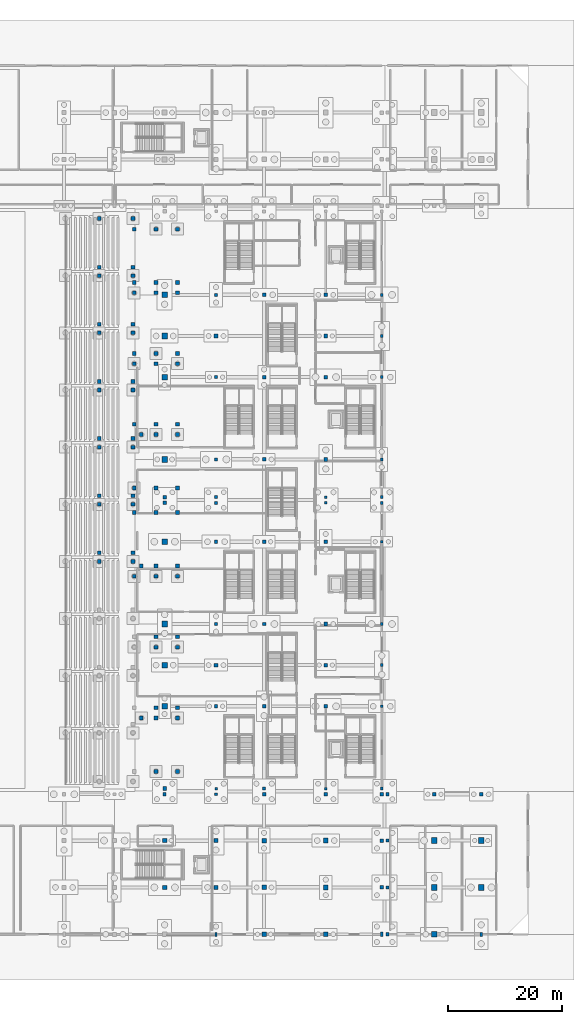
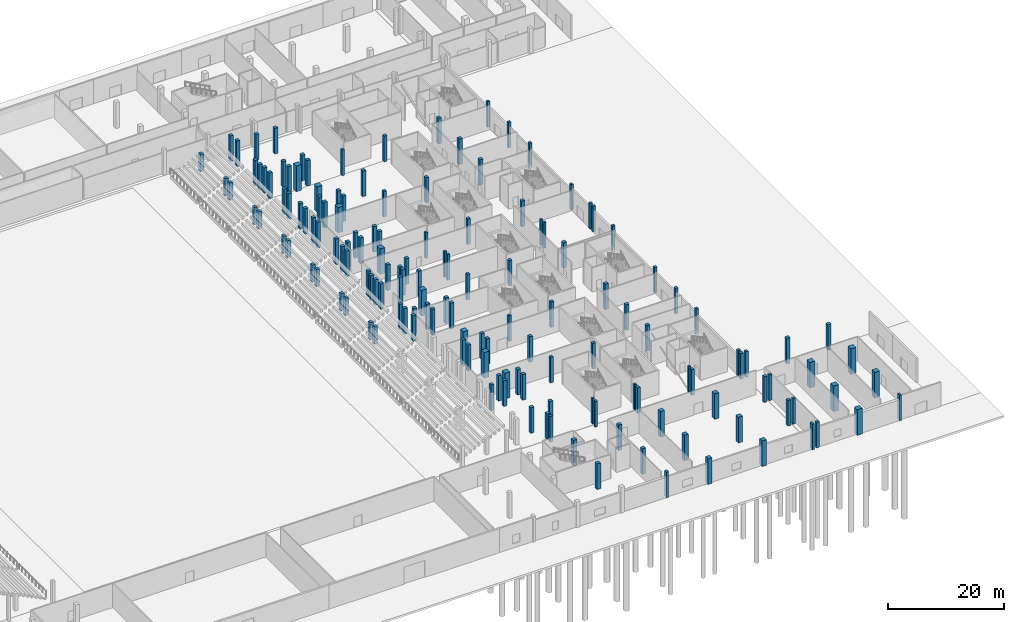
# One storey, part 17 of 89: 152 columns.
"""IFC4 building model written with IfcOpenShell, lengths in metres."""

from ifc_helpers import new_model, si_unit, direction, frame, origin, origin_2d, place, context, subcontext, project, spatial, rectangle, extrude, material, material_profile, profile_set, type_object, element, save


model = new_model("IFC4")

# Units and contexts
model_context = context("Model", 3, precision=1e-05, world=origin(), true_north=direction((0.0, 1.0)))
body_context = subcontext(model_context, "Body", "Model", "MODEL_VIEW")
ifc_project = project(units=[si_unit("LENGTHUNIT", "METRE"), si_unit("AREAUNIT", "SQUARE_METRE"), si_unit("VOLUMEUNIT", "CUBIC_METRE"), si_unit("PLANEANGLEUNIT", "RADIAN"), si_unit("MASSUNIT", "GRAM", prefix="KILO")], contexts=[model_context])

# Site, building, storey
site_placement = place(None, origin())
site = spatial("IfcSite", under=ifc_project, at=site_placement, CompositionType="ELEMENT")
building_placement = place(site_placement, origin())
building = spatial("IfcBuilding", under=site, at=building_placement, Name="Koshinbarg Plaza Stadium", CompositionType="ELEMENT")
storey_placement = place(building_placement, origin())
storey = spatial("IfcBuildingStorey", under=building, at=storey_placement, Name="L00", CompositionType="ELEMENT", Elevation=0.0)

# Columns
ifc_material = material(Name="Concrete C40/50", Category="concrete")
ifc_material_profile_1 = material_profile(ifc_material, rectangle(XDim=0.39990234375, YDim=0.699951171875, at=origin_2d()), Name="PIL 400x700")
ifc_profile_set_1 = profile_set([ifc_material_profile_1], Name="Concrete C40/50")
column_type_1 = type_object("IfcColumnType", Name="COL-PIL-01", PredefinedType="PILASTER", material=ifc_profile_set_1)
for number, where, z_axis, x_axis, name in (
    (1, (189.39990234375, 0.0, 0.0), (0.0, 0.0, 1.0), (1.0, 0.0, 0.0), "L00 column 18/A"),
    (2, (235.800048828125, 0.0, 0.0), (0.0, 0.0, 1.0), (1.0, 0.0, 0.0), "L00 column 24/A"),
):
    element("IfcColumn", number, at=place(storey_placement, frame(where, z_axis=z_axis, x_axis=x_axis)), inside=storey, type_object=column_type_1, Name=name, PredefinedType="PILASTER", context=body_context, shape_type="SweptSolid", body=[
        extrude(rectangle(XDim=0.39990234375, YDim=0.699951171875, at=origin_2d()), origin(), (0.0, 0.0, 1.0), 5.39990234375),
    ])
ifc_material_profile_2 = material_profile(ifc_material, rectangle(XDim=0.449951171875, YDim=0.800048828125, at=origin_2d()), Name="PIL 450x800")
ifc_profile_set_2 = profile_set([ifc_material_profile_2], Name="Concrete C40/50")
column_type_2 = type_object("IfcColumnType", Name="COL-PIL-02", PredefinedType="PILASTER", material=ifc_profile_set_2)
column_1_placement = place(storey_placement, frame((218.39990234375, 0.0, 0.0), z_axis=(0.0, 0.0, 1.0), x_axis=(1.0, 0.0, 0.0)))
element("IfcColumn", 3, at=column_1_placement, inside=storey, type_object=column_type_2, Name="L00 column 21/A", PredefinedType="PILASTER", context=body_context, shape_type="SweptSolid", body=[
    extrude(rectangle(XDim=0.449951171875, YDim=0.800048828125, at=origin_2d()), origin(), (0.0, 0.0, 1.0), 5.39990234375),
])
ifc_material_profile_3 = material_profile(ifc_material, rectangle(XDim=0.449951171875, YDim=0.449951171875, at=origin_2d()), Name="RC 450x450")
ifc_profile_set_3 = profile_set([ifc_material_profile_3], Name="Concrete C40/50")
column_type_3 = type_object("IfcColumnType", Name="COL-RC-01", PredefinedType="COLUMN", material=ifc_profile_set_3)
for number, where, z_axis, x_axis, name in (
    (4, (189.39990234375, 25.5, 0.0), (0.0, 0.0, 1.0), (1.0, 0.0, 0.0), "L00 column 18/E"),
    (5, (208.60009765625, 25.5, 0.0), (0.0, 0.0, 1.0), (1.0, 0.0, 0.0), "L00 column 20/E"),
    (6, (208.60009765625, 75.5, 0.0), (0.0, 0.0, 1.0), (1.0, 0.0, 0.0), "L00 column 20/K"),
    (7, (208.60009765625, 76.5, 0.0), (0.0, 0.0, 1.0), (1.0, 0.0, 0.0), "L00 column 20/L"),
):
    element("IfcColumn", number, at=place(storey_placement, frame(where, z_axis=z_axis, x_axis=x_axis)), inside=storey, type_object=column_type_3, Name=name, PredefinedType="COLUMN", context=body_context, shape_type="SweptSolid", body=[
        extrude(rectangle(XDim=0.449951171875, YDim=0.449951171875, at=origin_2d()), origin(), (0.0, 0.0, 1.0), 5.39990234375),
    ])
ifc_material_profile_4 = material_profile(ifc_material, rectangle(XDim=0.5, YDim=0.5, at=origin_2d()), Name="RC 500x500")
ifc_profile_set_4 = profile_set([ifc_material_profile_4], Name="Concrete C40/50")
column_type_4 = type_object("IfcColumnType", Name="COL-RC-02", PredefinedType="COLUMN", material=ifc_profile_set_4)
for number, where, z_axis, x_axis, name in (
    (8, (189.39990234375, 24.5, 0.0), (0.0, 0.0, 1.0), (1.0, 0.0, 0.0), "L00 column 18/D"),
    (9, (189.39990234375, 75.5, 0.0), (0.0, 0.0, 1.0), (1.0, 0.0, 0.0), "L00 column 18/K"),
    (10, (189.39990234375, 76.5, 0.0), (0.0, 0.0, 1.0), (1.0, 0.0, 0.0), "L00 column 18/L"),
    (11, (197.800048828125, 25.5, 0.0), (0.0, 0.0, 1.0), (1.0, 0.0, 0.0), "L00 column 19/E"),
    (12, (218.39990234375, 25.5, 0.0), (0.0, 0.0, 1.0), (1.0, 0.0, 0.0), "L00 column 21/E"),
    (13, (218.39990234375, 39.89990234375, 0.0), (0.0, 0.0, 1.0), (1.0, 0.0, 0.0), "L00 column 21/F"),
    (14, (218.39990234375, 47.10009765625, 0.0), (0.0, 0.0, 1.0), (1.0, 0.0, 0.0), "L00 column 21/G"),
    (15, (218.39990234375, 54.300048828125, 0.0), (0.0, 0.0, 1.0), (1.0, 0.0, 0.0), "L00 column 21/H"),
    (16, (218.39990234375, 68.699951171875, 0.0), (0.0, 0.0, 1.0), (1.0, 0.0, 0.0), "L00 column 21/J"),
    (17, (218.39990234375, 75.5, 0.0), (0.0, 0.0, 1.0), (1.0, 0.0, 0.0), "L00 column 21/K"),
    (18, (218.39990234375, 76.5, 0.0), (0.0, 0.0, 1.0), (1.0, 0.0, 0.0), "L00 column 21/L"),
    (19, (218.39990234375, 83.10009765625, 0.0), (0.0, 0.0, 1.0), (1.0, 0.0, 0.0), "L00 column 21/M"),
    (20, (218.39990234375, 97.5, 0.0), (0.0, 0.0, 1.0), (1.0, 0.0, 0.0), "L00 column 21/N"),
    (21, (218.39990234375, 104.699951171875, 0.0), (0.0, 0.0, 1.0), (1.0, 0.0, 0.0), "L00 column 21/P"),
    (22, (218.39990234375, 111.89990234375, 0.0), (0.0, 0.0, 1.0), (1.0, 0.0, 0.0), "L00 column 21/Q"),
):
    element("IfcColumn", number, at=place(storey_placement, frame(where, z_axis=z_axis, x_axis=x_axis)), inside=storey, type_object=column_type_4, Name=name, PredefinedType="COLUMN", context=body_context, shape_type="SweptSolid", body=[
        extrude(rectangle(XDim=0.5, YDim=0.5, at=origin_2d()), origin(), (0.0, 0.0, 1.0), 5.39990234375),
    ])
ifc_material_profile_5 = material_profile(ifc_material, rectangle(XDim=0.550048828125, YDim=0.550048828125, at=origin_2d()), Name="RC 550x550")
ifc_profile_set_5 = profile_set([ifc_material_profile_5], Name="Concrete C40/50")
column_type_5 = type_object("IfcColumnType", Name="COL-RC-03", PredefinedType="COLUMN", material=ifc_profile_set_5)
for number, where, z_axis, x_axis, name in (
    (23, (180.39990234375, 24.5, 0.0), (0.0, 0.0, 1.0), (1.0, 0.0, 0.0), "L00 column 17/D"),
    (24, (189.39990234375, 39.89990234375, 0.0), (0.0, 0.0, 1.0), (1.0, 0.0, 0.0), "L00 column 18/F"),
    (25, (189.39990234375, 54.300048828125, 0.0), (0.0, 0.0, 1.0), (1.0, 0.0, 0.0), "L00 column 18/H"),
    (26, (189.39990234375, 68.699951171875, 0.0), (0.0, 0.0, 1.0), (1.0, 0.0, 0.0), "L00 column 18/J"),
    (27, (189.39990234375, 83.10009765625, 0.0), (0.0, 0.0, 1.0), (1.0, 0.0, 0.0), "L00 column 18/M"),
    (28, (189.39990234375, 97.5, 0.0), (0.0, 0.0, 1.0), (1.0, 0.0, 0.0), "L00 column 18/N"),
    (29, (189.39990234375, 111.89990234375, 0.0), (0.0, 0.0, 1.0), (1.0, 0.0, 0.0), "L00 column 18/Q"),
    (30, (208.60009765625, 24.5, 0.0), (0.0, 0.0, 1.0), (1.0, 0.0, 0.0), "L00 column 20/D"),
    (31, (219.39990234375, 0.0, 0.0), (0.0, 0.0, 1.0), (1.0, 0.0, 0.0), "L00 column 22/A"),
    (32, (219.39990234375, 8.199951171875, 0.0), (0.0, 0.0, 1.0), (1.0, 0.0, 0.0), "L00 column 22/B"),
    (33, (219.39990234375, 16.39990234375, 0.0), (0.0, 0.0, 1.0), (1.0, 0.0, 0.0), "L00 column 22/C"),
    (34, (219.39990234375, 24.5, 0.0), (0.0, 0.0, 1.0), (1.0, 0.0, 0.0), "L00 column 22/D"),
):
    element("IfcColumn", number, at=place(storey_placement, frame(where, z_axis=z_axis, x_axis=x_axis)), inside=storey, type_object=column_type_5, Name=name, PredefinedType="COLUMN", context=body_context, shape_type="SweptSolid", body=[
        extrude(rectangle(XDim=0.550048828125, YDim=0.550048828125, at=origin_2d()), origin(), (0.0, 0.0, 1.0), 5.39990234375),
    ])
ifc_material_profile_6 = material_profile(ifc_material, rectangle(XDim=0.60009765625, YDim=0.60009765625, at=origin_2d()), Name="RC 600x600")
ifc_profile_set_6 = profile_set([ifc_material_profile_6], Name="Concrete C40/50")
column_type_6 = type_object("IfcColumnType", Name="COL-RC-04", PredefinedType="COLUMN", material=ifc_profile_set_6)
for number, where, z_axis, x_axis, name in (
    (35, (197.800048828125, 24.5, 0.0), (0.0, 0.0, 1.0), (1.0, 0.0, 0.0), "L00 column 19/D"),
    (36, (197.800048828125, 39.89990234375, 0.0), (0.0, 0.0, 1.0), (1.0, 0.0, 0.0), "L00 column 19/F"),
    (37, (197.800048828125, 54.300048828125, 0.0), (0.0, 0.0, 1.0), (1.0, 0.0, 0.0), "L00 column 19/H"),
    (38, (197.800048828125, 68.699951171875, 0.0), (0.0, 0.0, 1.0), (1.0, 0.0, 0.0), "L00 column 19/J"),
    (39, (197.800048828125, 83.10009765625, 0.0), (0.0, 0.0, 1.0), (1.0, 0.0, 0.0), "L00 column 19/M"),
    (40, (197.800048828125, 97.5, 0.0), (0.0, 0.0, 1.0), (1.0, 0.0, 0.0), "L00 column 19/N"),
    (41, (197.800048828125, 111.89990234375, 0.0), (0.0, 0.0, 1.0), (1.0, 0.0, 0.0), "L00 column 19/Q"),
    (42, (218.39990234375, 8.199951171875, 0.0), (0.0, 0.0, 1.0), (1.0, 0.0, 0.0), "L00 column 21/B"),
    (43, (218.39990234375, 16.39990234375, 0.0), (0.0, 0.0, 1.0), (1.0, 0.0, 0.0), "L00 column 21/C"),
    (44, (218.39990234375, 24.5, 0.0), (0.0, 0.0, 1.0), (1.0, 0.0, 0.0), "L00 column 21/D"),
):
    element("IfcColumn", number, at=place(storey_placement, frame(where, z_axis=z_axis, x_axis=x_axis)), inside=storey, type_object=column_type_6, Name=name, PredefinedType="COLUMN", context=body_context, shape_type="SweptSolid", body=[
        extrude(rectangle(XDim=0.60009765625, YDim=0.60009765625, at=origin_2d()), origin(), (0.0, 0.0, 1.0), 5.39990234375),
    ])
ifc_material_profile_7 = material_profile(ifc_material, rectangle(XDim=0.64990234375, YDim=0.64990234375, at=origin_2d()), Name="RC 650x650")
ifc_profile_set_7 = profile_set([ifc_material_profile_7], Name="Concrete C40/50")
column_type_7 = type_object("IfcColumnType", Name="COL-RC-05", PredefinedType="COLUMN", material=ifc_profile_set_7)
for number, where, z_axis, x_axis, name in (
    (45, (180.39990234375, 25.5, 0.0), (0.0, 0.0, 1.0), (1.0, 0.0, 0.0), "L00 column 17/E"),
    (46, (180.39990234375, 75.5, 0.0), (0.0, 0.0, 1.0), (1.0, 0.0, 0.0), "L00 column 17/K"),
    (47, (180.39990234375, 76.5, 0.0), (0.0, 0.0, 1.0), (1.0, 0.0, 0.0), "L00 column 17/L"),
    (48, (189.39990234375, 8.199951171875, 0.0), (0.0, 0.0, 1.0), (1.0, 0.0, 0.0), "L00 column 18/B"),
    (49, (189.39990234375, 16.39990234375, 0.0), (0.0, 0.0, 1.0), (1.0, 0.0, 0.0), "L00 column 18/C"),
    (50, (189.39990234375, 47.10009765625, 0.0), (0.0, 0.0, 1.0), (1.0, 0.0, 0.0), "L00 column 18/G"),
    (51, (189.39990234375, 104.699951171875, 0.0), (0.0, 0.0, 1.0), (1.0, 0.0, 0.0), "L00 column 18/P"),
    (52, (208.60009765625, 39.89990234375, 0.0), (0.0, 0.0, 1.0), (1.0, 0.0, 0.0), "L00 column 20/F"),
    (53, (208.60009765625, 47.10009765625, 0.0), (0.0, 0.0, 1.0), (1.0, 0.0, 0.0), "L00 column 20/G"),
    (54, (208.60009765625, 54.300048828125, 0.0), (0.0, 0.0, 1.0), (1.0, 0.0, 0.0), "L00 column 20/H"),
    (55, (208.60009765625, 68.699951171875, 0.0), (0.0, 0.0, 1.0), (1.0, 0.0, 0.0), "L00 column 20/J"),
    (56, (208.60009765625, 83.10009765625, 0.0), (0.0, 0.0, 1.0), (1.0, 0.0, 0.0), "L00 column 20/M"),
    (57, (208.60009765625, 97.5, 0.0), (0.0, 0.0, 1.0), (1.0, 0.0, 0.0), "L00 column 20/N"),
    (58, (208.60009765625, 104.699951171875, 0.0), (0.0, 0.0, 1.0), (1.0, 0.0, 0.0), "L00 column 20/P"),
    (59, (208.60009765625, 111.89990234375, 0.0), (0.0, 0.0, 1.0), (1.0, 0.0, 0.0), "L00 column 20/Q"),
    (60, (227.60009765625, 24.5, 0.0), (0.0, 0.0, 1.0), (1.0, 0.0, 0.0), "L00 column 23/D"),
    (61, (235.800048828125, 24.5, 0.0), (0.0, 0.0, 1.0), (1.0, 0.0, 0.0), "L00 column 24/D"),
):
    element("IfcColumn", number, at=place(storey_placement, frame(where, z_axis=z_axis, x_axis=x_axis)), inside=storey, type_object=column_type_7, Name=name, PredefinedType="COLUMN", context=body_context, shape_type="SweptSolid", body=[
        extrude(rectangle(XDim=0.64990234375, YDim=0.64990234375, at=origin_2d()), origin(), (0.0, 0.0, 1.0), 5.39990234375),
    ])
column_2_placement = place(storey_placement, frame((168.949951171875, 65.25, 0.0), z_axis=(0.0, 0.0, 1.0), x_axis=(1.0, 0.0, 0.0)))
element("IfcColumn", 62, at=column_2_placement, inside=storey, type_object=column_type_7, Name="L00 bowl raker column LT-E04-R-M", PredefinedType="COLUMN", context=body_context, shape_type="SweptSolid", body=[
    extrude(rectangle(XDim=0.64990234375, YDim=0.64990234375, at=origin_2d()), origin(), (0.0, 0.0, 1.0), 3.6083984375),
])
column_3_placement = place(storey_placement, frame((174.860107421875, 65.25, 0.0), z_axis=(0.0, 0.0, 1.0), x_axis=(1.0, 0.0, 0.0)))
element("IfcColumn", 63, at=column_3_placement, inside=storey, type_object=column_type_7, Name="L00 bowl raker column LT-E04-R-B", PredefinedType="COLUMN", context=body_context, shape_type="SweptSolid", body=[
    extrude(rectangle(XDim=0.64990234375, YDim=0.64990234375, at=origin_2d()), origin(), (0.0, 0.0, 1.0), 5.39990234375),
])
column_4_placement = place(storey_placement, frame((168.949951171875, 66.75, 0.0), z_axis=(0.0, 0.0, 1.0), x_axis=(1.0, 0.0, 0.0)))
element("IfcColumn", 64, at=column_4_placement, inside=storey, type_object=column_type_7, Name="L00 bowl raker column LT-E05-L-M", PredefinedType="COLUMN", context=body_context, shape_type="SweptSolid", body=[
    extrude(rectangle(XDim=0.64990234375, YDim=0.64990234375, at=origin_2d()), origin(), (0.0, 0.0, 1.0), 3.6083984375),
])
column_5_placement = place(storey_placement, frame((174.860107421875, 66.75, 0.0), z_axis=(0.0, 0.0, 1.0), x_axis=(1.0, 0.0, 0.0)))
element("IfcColumn", 65, at=column_5_placement, inside=storey, type_object=column_type_7, Name="L00 bowl raker column LT-E05-L-B", PredefinedType="COLUMN", context=body_context, shape_type="SweptSolid", body=[
    extrude(rectangle(XDim=0.64990234375, YDim=0.64990234375, at=origin_2d()), origin(), (0.0, 0.0, 1.0), 5.39990234375),
])
column_6_placement = place(storey_placement, frame((168.949951171875, 75.25, 0.0), z_axis=(0.0, 0.0, 1.0), x_axis=(1.0, 0.0, 0.0)))
element("IfcColumn", 66, at=column_6_placement, inside=storey, type_object=column_type_7, Name="L00 bowl raker column LT-E05-R-M", PredefinedType="COLUMN", context=body_context, shape_type="SweptSolid", body=[
    extrude(rectangle(XDim=0.64990234375, YDim=0.64990234375, at=origin_2d()), origin(), (0.0, 0.0, 1.0), 3.6083984375),
])
column_7_placement = place(storey_placement, frame((174.860107421875, 75.25, 0.0), z_axis=(0.0, 0.0, 1.0), x_axis=(1.0, 0.0, 0.0)))
element("IfcColumn", 67, at=column_7_placement, inside=storey, type_object=column_type_7, Name="L00 bowl raker column LT-E05-R-B", PredefinedType="COLUMN", context=body_context, shape_type="SweptSolid", body=[
    extrude(rectangle(XDim=0.64990234375, YDim=0.64990234375, at=origin_2d()), origin(), (0.0, 0.0, 1.0), 5.39990234375),
])
column_8_placement = place(storey_placement, frame((168.949951171875, 76.75, 0.0), z_axis=(0.0, 0.0, 1.0), x_axis=(1.0, 0.0, 0.0)))
element("IfcColumn", 68, at=column_8_placement, inside=storey, type_object=column_type_7, Name="L00 bowl raker column LT-E06-L-M", PredefinedType="COLUMN", context=body_context, shape_type="SweptSolid", body=[
    extrude(rectangle(XDim=0.64990234375, YDim=0.64990234375, at=origin_2d()), origin(), (0.0, 0.0, 1.0), 3.6083984375),
])
column_9_placement = place(storey_placement, frame((174.860107421875, 76.75, 0.0), z_axis=(0.0, 0.0, 1.0), x_axis=(1.0, 0.0, 0.0)))
element("IfcColumn", 69, at=column_9_placement, inside=storey, type_object=column_type_7, Name="L00 bowl raker column LT-E06-L-B", PredefinedType="COLUMN", context=body_context, shape_type="SweptSolid", body=[
    extrude(rectangle(XDim=0.64990234375, YDim=0.64990234375, at=origin_2d()), origin(), (0.0, 0.0, 1.0), 5.39990234375),
])
column_10_placement = place(storey_placement, frame((168.949951171875, 85.25, 0.0), z_axis=(0.0, 0.0, 1.0), x_axis=(1.0, 0.0, 0.0)))
element("IfcColumn", 70, at=column_10_placement, inside=storey, type_object=column_type_7, Name="L00 bowl raker column LT-E06-R-M", PredefinedType="COLUMN", context=body_context, shape_type="SweptSolid", body=[
    extrude(rectangle(XDim=0.64990234375, YDim=0.64990234375, at=origin_2d()), origin(), (0.0, 0.0, 1.0), 3.6083984375),
])
column_11_placement = place(storey_placement, frame((174.860107421875, 85.25, 0.0), z_axis=(0.0, 0.0, 1.0), x_axis=(1.0, 0.0, 0.0)))
element("IfcColumn", 71, at=column_11_placement, inside=storey, type_object=column_type_7, Name="L00 bowl raker column LT-E06-R-B", PredefinedType="COLUMN", context=body_context, shape_type="SweptSolid", body=[
    extrude(rectangle(XDim=0.64990234375, YDim=0.64990234375, at=origin_2d()), origin(), (0.0, 0.0, 1.0), 5.39990234375),
])
column_12_placement = place(storey_placement, frame((168.949951171875, 86.75, 0.0), z_axis=(0.0, 0.0, 1.0), x_axis=(1.0, 0.0, 0.0)))
element("IfcColumn", 72, at=column_12_placement, inside=storey, type_object=column_type_7, Name="L00 bowl raker column LT-E07-L-M", PredefinedType="COLUMN", context=body_context, shape_type="SweptSolid", body=[
    extrude(rectangle(XDim=0.64990234375, YDim=0.64990234375, at=origin_2d()), origin(), (0.0, 0.0, 1.0), 3.6083984375),
])
column_13_placement = place(storey_placement, frame((174.860107421875, 86.75, 0.0), z_axis=(0.0, 0.0, 1.0), x_axis=(1.0, 0.0, 0.0)))
element("IfcColumn", 73, at=column_13_placement, inside=storey, type_object=column_type_7, Name="L00 bowl raker column LT-E07-L-B", PredefinedType="COLUMN", context=body_context, shape_type="SweptSolid", body=[
    extrude(rectangle(XDim=0.64990234375, YDim=0.64990234375, at=origin_2d()), origin(), (0.0, 0.0, 1.0), 5.39990234375),
])
column_14_placement = place(storey_placement, frame((168.949951171875, 95.25, 0.0), z_axis=(0.0, 0.0, 1.0), x_axis=(1.0, 0.0, 0.0)))
element("IfcColumn", 74, at=column_14_placement, inside=storey, type_object=column_type_7, Name="L00 bowl raker column LT-E07-R-M", PredefinedType="COLUMN", context=body_context, shape_type="SweptSolid", body=[
    extrude(rectangle(XDim=0.64990234375, YDim=0.64990234375, at=origin_2d()), origin(), (0.0, 0.0, 1.0), 3.6083984375),
])
column_15_placement = place(storey_placement, frame((174.860107421875, 95.25, 0.0), z_axis=(0.0, 0.0, 1.0), x_axis=(1.0, 0.0, 0.0)))
element("IfcColumn", 75, at=column_15_placement, inside=storey, type_object=column_type_7, Name="L00 bowl raker column LT-E07-R-B", PredefinedType="COLUMN", context=body_context, shape_type="SweptSolid", body=[
    extrude(rectangle(XDim=0.64990234375, YDim=0.64990234375, at=origin_2d()), origin(), (0.0, 0.0, 1.0), 5.39990234375),
])
column_16_placement = place(storey_placement, frame((168.949951171875, 96.75, 0.0), z_axis=(0.0, 0.0, 1.0), x_axis=(1.0, 0.0, 0.0)))
element("IfcColumn", 76, at=column_16_placement, inside=storey, type_object=column_type_7, Name="L00 bowl raker column LT-E08-L-M", PredefinedType="COLUMN", context=body_context, shape_type="SweptSolid", body=[
    extrude(rectangle(XDim=0.64990234375, YDim=0.64990234375, at=origin_2d()), origin(), (0.0, 0.0, 1.0), 3.6083984375),
])
column_17_placement = place(storey_placement, frame((174.860107421875, 96.75, 0.0), z_axis=(0.0, 0.0, 1.0), x_axis=(1.0, 0.0, 0.0)))
element("IfcColumn", 77, at=column_17_placement, inside=storey, type_object=column_type_7, Name="L00 bowl raker column LT-E08-L-B", PredefinedType="COLUMN", context=body_context, shape_type="SweptSolid", body=[
    extrude(rectangle(XDim=0.64990234375, YDim=0.64990234375, at=origin_2d()), origin(), (0.0, 0.0, 1.0), 5.39990234375),
])
column_18_placement = place(storey_placement, frame((168.949951171875, 105.25, 0.0), z_axis=(0.0, 0.0, 1.0), x_axis=(1.0, 0.0, 0.0)))
element("IfcColumn", 78, at=column_18_placement, inside=storey, type_object=column_type_7, Name="L00 bowl raker column LT-E08-R-M", PredefinedType="COLUMN", context=body_context, shape_type="SweptSolid", body=[
    extrude(rectangle(XDim=0.64990234375, YDim=0.64990234375, at=origin_2d()), origin(), (0.0, 0.0, 1.0), 3.6083984375),
])
column_19_placement = place(storey_placement, frame((174.860107421875, 105.25, 0.0), z_axis=(0.0, 0.0, 1.0), x_axis=(1.0, 0.0, 0.0)))
element("IfcColumn", 79, at=column_19_placement, inside=storey, type_object=column_type_7, Name="L00 bowl raker column LT-E08-R-B", PredefinedType="COLUMN", context=body_context, shape_type="SweptSolid", body=[
    extrude(rectangle(XDim=0.64990234375, YDim=0.64990234375, at=origin_2d()), origin(), (0.0, 0.0, 1.0), 5.39990234375),
])
column_20_placement = place(storey_placement, frame((168.949951171875, 106.75, 0.0), z_axis=(0.0, 0.0, 1.0), x_axis=(1.0, 0.0, 0.0)))
element("IfcColumn", 80, at=column_20_placement, inside=storey, type_object=column_type_7, Name="L00 bowl raker column LT-E09-L-M", PredefinedType="COLUMN", context=body_context, shape_type="SweptSolid", body=[
    extrude(rectangle(XDim=0.64990234375, YDim=0.64990234375, at=origin_2d()), origin(), (0.0, 0.0, 1.0), 3.6083984375),
])
column_21_placement = place(storey_placement, frame((174.860107421875, 106.75, 0.0), z_axis=(0.0, 0.0, 1.0), x_axis=(1.0, 0.0, 0.0)))
element("IfcColumn", 81, at=column_21_placement, inside=storey, type_object=column_type_7, Name="L00 bowl raker column LT-E09-L-B", PredefinedType="COLUMN", context=body_context, shape_type="SweptSolid", body=[
    extrude(rectangle(XDim=0.64990234375, YDim=0.64990234375, at=origin_2d()), origin(), (0.0, 0.0, 1.0), 5.39990234375),
])
column_22_placement = place(storey_placement, frame((168.949951171875, 115.25, 0.0), z_axis=(0.0, 0.0, 1.0), x_axis=(1.0, 0.0, 0.0)))
element("IfcColumn", 82, at=column_22_placement, inside=storey, type_object=column_type_7, Name="L00 bowl raker column LT-E09-R-M", PredefinedType="COLUMN", context=body_context, shape_type="SweptSolid", body=[
    extrude(rectangle(XDim=0.64990234375, YDim=0.64990234375, at=origin_2d()), origin(), (0.0, 0.0, 1.0), 3.6083984375),
])
column_23_placement = place(storey_placement, frame((174.860107421875, 115.25, 0.0), z_axis=(0.0, 0.0, 1.0), x_axis=(1.0, 0.0, 0.0)))
element("IfcColumn", 83, at=column_23_placement, inside=storey, type_object=column_type_7, Name="L00 bowl raker column LT-E09-R-B", PredefinedType="COLUMN", context=body_context, shape_type="SweptSolid", body=[
    extrude(rectangle(XDim=0.64990234375, YDim=0.64990234375, at=origin_2d()), origin(), (0.0, 0.0, 1.0), 5.39990234375),
])
column_24_placement = place(storey_placement, frame((168.949951171875, 116.75, 0.0), z_axis=(0.0, 0.0, 1.0), x_axis=(1.0, 0.0, 0.0)))
element("IfcColumn", 84, at=column_24_placement, inside=storey, type_object=column_type_7, Name="L00 bowl raker column LT-E10-L-M", PredefinedType="COLUMN", context=body_context, shape_type="SweptSolid", body=[
    extrude(rectangle(XDim=0.64990234375, YDim=0.64990234375, at=origin_2d()), origin(), (0.0, 0.0, 1.0), 3.6083984375),
])
column_25_placement = place(storey_placement, frame((174.860107421875, 116.75, 0.0), z_axis=(0.0, 0.0, 1.0), x_axis=(1.0, 0.0, 0.0)))
element("IfcColumn", 85, at=column_25_placement, inside=storey, type_object=column_type_7, Name="L00 bowl raker column LT-E10-L-B", PredefinedType="COLUMN", context=body_context, shape_type="SweptSolid", body=[
    extrude(rectangle(XDim=0.64990234375, YDim=0.64990234375, at=origin_2d()), origin(), (0.0, 0.0, 1.0), 5.39990234375),
])
column_26_placement = place(storey_placement, frame((168.949951171875, 125.25, 0.0), z_axis=(0.0, 0.0, 1.0), x_axis=(1.0, 0.0, 0.0)))
element("IfcColumn", 86, at=column_26_placement, inside=storey, type_object=column_type_7, Name="L00 bowl raker column LT-E10-R-M", PredefinedType="COLUMN", context=body_context, shape_type="SweptSolid", body=[
    extrude(rectangle(XDim=0.64990234375, YDim=0.64990234375, at=origin_2d()), origin(), (0.0, 0.0, 1.0), 3.6083984375),
])
for number, where, z_axis, x_axis, name in (
    (87, (174.860107421875, 125.25, 0.0), (0.0, 0.0, 1.0), (1.0, 0.0, 0.0), "L00 bowl raker column LT-E10-R-B"),
    (88, (178.89990234375, 28.5, 0.0), (0.0, 0.0, 1.0), (1.0, 0.0, 0.0), "L00 bowl raker column UT-E01-L-CM"),
    (89, (182.659912109375, 28.5, 0.0), (0.0, 0.0, 1.0), (1.0, 0.0, 0.0), "L00 bowl raker column UT-E01-L-CB"),
    (90, (176.330078125, 37.85009765625, 0.0), (0.0, 0.0, 1.0), (1.0, 0.0, 0.0), "L00 bowl raker column UT-E01-R-CF"),
    (91, (178.89990234375, 37.85009765625, 0.0), (0.0, 0.0, 1.0), (1.0, 0.0, 0.0), "L00 bowl raker column UT-E01-R-CM"),
    (92, (182.659912109375, 37.85009765625, 0.0), (0.0, 0.0, 1.0), (1.0, 0.0, 0.0), "L00 bowl raker column UT-E01-R-CB"),
    (93, (178.89990234375, 39.64990234375, 0.0), (0.0, 0.0, 1.0), (1.0, 0.0, 0.0), "L00 bowl raker column UT-E02-L-CM"),
    (94, (182.659912109375, 39.64990234375, 0.0), (0.0, 0.0, 1.0), (1.0, 0.0, 0.0), "L00 bowl raker column UT-E02-L-CB"),
    (95, (178.89990234375, 50.25, 0.0), (0.0, 0.0, 1.0), (1.0, 0.0, 0.0), "L00 bowl raker column UT-E02-R-CM"),
    (96, (182.659912109375, 50.25, 0.0), (0.0, 0.0, 1.0), (1.0, 0.0, 0.0), "L00 bowl raker column UT-E02-R-CB"),
    (97, (178.89990234375, 52.050048828125, 0.0), (0.0, 0.0, 1.0), (1.0, 0.0, 0.0), "L00 bowl raker column UT-E03-L-CM"),
    (98, (182.659912109375, 52.050048828125, 0.0), (0.0, 0.0, 1.0), (1.0, 0.0, 0.0), "L00 bowl raker column UT-E03-L-CB"),
    (99, (175.080078125, 62.64990234375, 0.0), (0.0, 0.0, 1.0), (1.0, 0.0, 0.0), "L00 bowl raker column UT-E03-R-CF"),
    (100, (178.89990234375, 62.64990234375, 0.0), (0.0, 0.0, 1.0), (1.0, 0.0, 0.0), "L00 bowl raker column UT-E03-R-CM"),
    (101, (182.659912109375, 62.64990234375, 0.0), (0.0, 0.0, 1.0), (1.0, 0.0, 0.0), "L00 bowl raker column UT-E03-R-CB"),
    (102, (176.330078125, 64.449951171875, 0.0), (0.0, 0.0, 1.0), (1.0, 0.0, 0.0), "L00 bowl raker column UT-E04-L-CF"),
    (103, (178.89990234375, 64.449951171875, 0.0), (0.0, 0.0, 1.0), (1.0, 0.0, 0.0), "L00 bowl raker column UT-E04-L-CM"),
    (104, (182.659912109375, 64.449951171875, 0.0), (0.0, 0.0, 1.0), (1.0, 0.0, 0.0), "L00 bowl raker column UT-E04-L-CB"),
    (105, (175.080078125, 73.800048828125, 0.0), (0.0, 0.0, 1.0), (1.0, 0.0, 0.0), "L00 bowl raker column UT-E04-R-CF"),
    (106, (178.89990234375, 73.800048828125, 0.0), (0.0, 0.0, 1.0), (1.0, 0.0, 0.0), "L00 bowl raker column UT-E04-R-CM"),
    (107, (182.659912109375, 73.800048828125, 0.0), (0.0, 0.0, 1.0), (1.0, 0.0, 0.0), "L00 bowl raker column UT-E04-R-CB"),
    (108, (175.080078125, 78.10009765625, 0.0), (0.0, 0.0, 1.0), (1.0, 0.0, 0.0), "L00 bowl raker column UT-E05-L-CF"),
    (109, (178.89990234375, 78.10009765625, 0.0), (0.0, 0.0, 1.0), (1.0, 0.0, 0.0), "L00 bowl raker column UT-E05-L-CM"),
    (110, (182.659912109375, 78.10009765625, 0.0), (0.0, 0.0, 1.0), (1.0, 0.0, 0.0), "L00 bowl raker column UT-E05-L-CB"),
    (111, (176.330078125, 87.449951171875, 0.0), (0.0, 0.0, 1.0), (1.0, 0.0, 0.0), "L00 bowl raker column UT-E05-R-CF"),
    (112, (178.89990234375, 87.449951171875, 0.0), (0.0, 0.0, 1.0), (1.0, 0.0, 0.0), "L00 bowl raker column UT-E05-R-CM"),
    (113, (182.659912109375, 87.449951171875, 0.0), (0.0, 0.0, 1.0), (1.0, 0.0, 0.0), "L00 bowl raker column UT-E05-R-CB"),
    (114, (175.080078125, 89.25, 0.0), (0.0, 0.0, 1.0), (1.0, 0.0, 0.0), "L00 bowl raker column UT-E06-L-CF"),
    (115, (178.89990234375, 89.25, 0.0), (0.0, 0.0, 1.0), (1.0, 0.0, 0.0), "L00 bowl raker column UT-E06-L-CM"),
    (116, (182.659912109375, 89.25, 0.0), (0.0, 0.0, 1.0), (1.0, 0.0, 0.0), "L00 bowl raker column UT-E06-L-CB"),
    (117, (175.080078125, 99.85009765625, 0.0), (0.0, 0.0, 1.0), (1.0, 0.0, 0.0), "L00 bowl raker column UT-E06-R-CF"),
    (118, (178.89990234375, 99.85009765625, 0.0), (0.0, 0.0, 1.0), (1.0, 0.0, 0.0), "L00 bowl raker column UT-E06-R-CM"),
    (119, (182.659912109375, 99.85009765625, 0.0), (0.0, 0.0, 1.0), (1.0, 0.0, 0.0), "L00 bowl raker column UT-E06-R-CB"),
    (120, (175.080078125, 101.64990234375, 0.0), (0.0, 0.0, 1.0), (1.0, 0.0, 0.0), "L00 bowl raker column UT-E07-L-CF"),
    (121, (178.89990234375, 101.64990234375, 0.0), (0.0, 0.0, 1.0), (1.0, 0.0, 0.0), "L00 bowl raker column UT-E07-L-CM"),
    (122, (182.659912109375, 101.64990234375, 0.0), (0.0, 0.0, 1.0), (1.0, 0.0, 0.0), "L00 bowl raker column UT-E07-L-CB"),
    (123, (175.080078125, 112.25, 0.0), (0.0, 0.0, 1.0), (1.0, 0.0, 0.0), "L00 bowl raker column UT-E07-R-CF"),
    (124, (178.89990234375, 112.25, 0.0), (0.0, 0.0, 1.0), (1.0, 0.0, 0.0), "L00 bowl raker column UT-E07-R-CM"),
    (125, (182.659912109375, 112.25, 0.0), (0.0, 0.0, 1.0), (1.0, 0.0, 0.0), "L00 bowl raker column UT-E07-R-CB"),
    (126, (175.080078125, 114.050048828125, 0.0), (0.0, 0.0, 1.0), (1.0, 0.0, 0.0), "L00 bowl raker column UT-E08-L-CF"),
    (127, (178.89990234375, 114.050048828125, 0.0), (0.0, 0.0, 1.0), (1.0, 0.0, 0.0), "L00 bowl raker column UT-E08-L-CM"),
    (128, (182.659912109375, 114.050048828125, 0.0), (0.0, 0.0, 1.0), (1.0, 0.0, 0.0), "L00 bowl raker column UT-E08-L-CB"),
    (129, (175.080078125, 123.39990234375, 0.0), (0.0, 0.0, 1.0), (1.0, 0.0, 0.0), "L00 bowl raker column UT-E08-R-CF"),
    (130, (178.89990234375, 123.39990234375, 0.0), (0.0, 0.0, 1.0), (1.0, 0.0, 0.0), "L00 bowl raker column UT-E08-R-CM"),
    (131, (182.659912109375, 123.39990234375, 0.0), (0.0, 0.0, 1.0), (1.0, 0.0, 0.0), "L00 bowl raker column UT-E08-R-CB"),
):
    element("IfcColumn", number, at=place(storey_placement, frame(where, z_axis=z_axis, x_axis=x_axis)), inside=storey, type_object=column_type_7, Name=name, PredefinedType="COLUMN", context=body_context, shape_type="SweptSolid", body=[
        extrude(rectangle(XDim=0.64990234375, YDim=0.64990234375, at=origin_2d()), origin(), (0.0, 0.0, 1.0), 5.39990234375),
    ])
ifc_material_profile_8 = material_profile(ifc_material, rectangle(XDim=0.75, YDim=0.75, at=origin_2d()), Name="RC 750x750")
ifc_profile_set_8 = profile_set([ifc_material_profile_8], Name="Concrete C40/50")
column_type_8 = type_object("IfcColumnType", Name="COL-RC-07", PredefinedType="COLUMN", material=ifc_profile_set_8)
for number, where, z_axis, x_axis, name in (
    (132, (180.39990234375, 8.199951171875, 0.0), (0.0, 0.0, 1.0), (1.0, 0.0, 0.0), "L00 column 17/B"),
    (133, (180.39990234375, 16.39990234375, 0.0), (0.0, 0.0, 1.0), (1.0, 0.0, 0.0), "L00 column 17/C"),
):
    element("IfcColumn", number, at=place(storey_placement, frame(where, z_axis=z_axis, x_axis=x_axis)), inside=storey, type_object=column_type_8, Name=name, PredefinedType="COLUMN", context=body_context, shape_type="SweptSolid", body=[
        extrude(rectangle(XDim=0.75, YDim=0.75, at=origin_2d()), origin(), (0.0, 0.0, 1.0), 5.39990234375),
    ])
ifc_material_profile_9 = material_profile(ifc_material, rectangle(XDim=0.800048828125, YDim=0.800048828125, at=origin_2d()), Name="RC 800x800")
ifc_profile_set_9 = profile_set([ifc_material_profile_9], Name="Concrete C40/50")
column_type_9 = type_object("IfcColumnType", Name="COL-RC-08", PredefinedType="COLUMN", material=ifc_profile_set_9)
for number, where, z_axis, x_axis, name in (
    (134, (197.800048828125, 0.0, 0.0), (0.0, 0.0, 1.0), (1.0, 0.0, 0.0), "L00 column 19/A"),
    (135, (197.800048828125, 8.199951171875, 0.0), (0.0, 0.0, 1.0), (1.0, 0.0, 0.0), "L00 column 19/B"),
    (136, (197.800048828125, 16.39990234375, 0.0), (0.0, 0.0, 1.0), (1.0, 0.0, 0.0), "L00 column 19/C"),
):
    element("IfcColumn", number, at=place(storey_placement, frame(where, z_axis=z_axis, x_axis=x_axis)), inside=storey, type_object=column_type_9, Name=name, PredefinedType="COLUMN", context=body_context, shape_type="SweptSolid", body=[
        extrude(rectangle(XDim=0.800048828125, YDim=0.800048828125, at=origin_2d()), origin(), (0.0, 0.0, 1.0), 5.39990234375),
    ])
ifc_material_profile_10 = material_profile(ifc_material, rectangle(XDim=0.85009765625, YDim=0.85009765625, at=origin_2d()), Name="RC 850x850")
ifc_profile_set_10 = profile_set([ifc_material_profile_10], Name="Concrete C40/50")
column_type_10 = type_object("IfcColumnType", Name="COL-RC-09", PredefinedType="COLUMN", material=ifc_profile_set_10)
for number, where, z_axis, x_axis, name in (
    (137, (208.60009765625, 0.0, 0.0), (0.0, 0.0, 1.0), (1.0, 0.0, 0.0), "L00 column 20/A"),
    (138, (208.60009765625, 8.199951171875, 0.0), (0.0, 0.0, 1.0), (1.0, 0.0, 0.0), "L00 column 20/B"),
    (139, (208.60009765625, 16.39990234375, 0.0), (0.0, 0.0, 1.0), (1.0, 0.0, 0.0), "L00 column 20/C"),
):
    element("IfcColumn", number, at=place(storey_placement, frame(where, z_axis=z_axis, x_axis=x_axis)), inside=storey, type_object=column_type_10, Name=name, PredefinedType="COLUMN", context=body_context, shape_type="SweptSolid", body=[
        extrude(rectangle(XDim=0.85009765625, YDim=0.85009765625, at=origin_2d()), origin(), (0.0, 0.0, 1.0), 5.39990234375),
    ])
ifc_material_profile_11 = material_profile(ifc_material, rectangle(XDim=1.0, YDim=1.0, at=origin_2d()), Name="RC 1000x1000")
ifc_profile_set_11 = profile_set([ifc_material_profile_11], Name="Concrete C40/50")
column_type_11 = type_object("IfcColumnType", Name="COL-RC-11", PredefinedType="COLUMN", material=ifc_profile_set_11)
for number, where, z_axis, x_axis, name in (
    (140, (180.39990234375, 39.89990234375, 0.0), (0.0, 0.0, 1.0), (1.0, 0.0, 0.0), "L00 column 17/F"),
    (141, (180.39990234375, 47.10009765625, 0.0), (0.0, 0.0, 1.0), (1.0, 0.0, 0.0), "L00 column 17/G"),
    (142, (180.39990234375, 54.300048828125, 0.0), (0.0, 0.0, 1.0), (1.0, 0.0, 0.0), "L00 column 17/H"),
    (143, (180.39990234375, 68.699951171875, 0.0), (0.0, 0.0, 1.0), (1.0, 0.0, 0.0), "L00 column 17/J"),
    (144, (180.39990234375, 83.10009765625, 0.0), (0.0, 0.0, 1.0), (1.0, 0.0, 0.0), "L00 column 17/M"),
    (145, (180.39990234375, 97.5, 0.0), (0.0, 0.0, 1.0), (1.0, 0.0, 0.0), "L00 column 17/N"),
    (146, (180.39990234375, 104.699951171875, 0.0), (0.0, 0.0, 1.0), (1.0, 0.0, 0.0), "L00 column 17/P"),
    (147, (180.39990234375, 111.89990234375, 0.0), (0.0, 0.0, 1.0), (1.0, 0.0, 0.0), "L00 column 17/Q"),
    (148, (227.60009765625, 0.0, 0.0), (0.0, 0.0, 1.0), (1.0, 0.0, 0.0), "L00 column 23/A"),
    (149, (227.60009765625, 8.199951171875, 0.0), (0.0, 0.0, 1.0), (1.0, 0.0, 0.0), "L00 column 23/B"),
    (150, (227.60009765625, 16.39990234375, 0.0), (0.0, 0.0, 1.0), (1.0, 0.0, 0.0), "L00 column 23/C"),
    (151, (235.800048828125, 8.199951171875, 0.0), (0.0, 0.0, 1.0), (1.0, 0.0, 0.0), "L00 column 24/B"),
    (152, (235.800048828125, 16.39990234375, 0.0), (0.0, 0.0, 1.0), (1.0, 0.0, 0.0), "L00 column 24/C"),
):
    element("IfcColumn", number, at=place(storey_placement, frame(where, z_axis=z_axis, x_axis=x_axis)), inside=storey, type_object=column_type_11, Name=name, PredefinedType="COLUMN", context=body_context, shape_type="SweptSolid", body=[
        extrude(rectangle(XDim=1.0, YDim=1.0, at=origin_2d()), origin(), (0.0, 0.0, 1.0), 5.39990234375),
    ])

save(model, "model.ifc")
